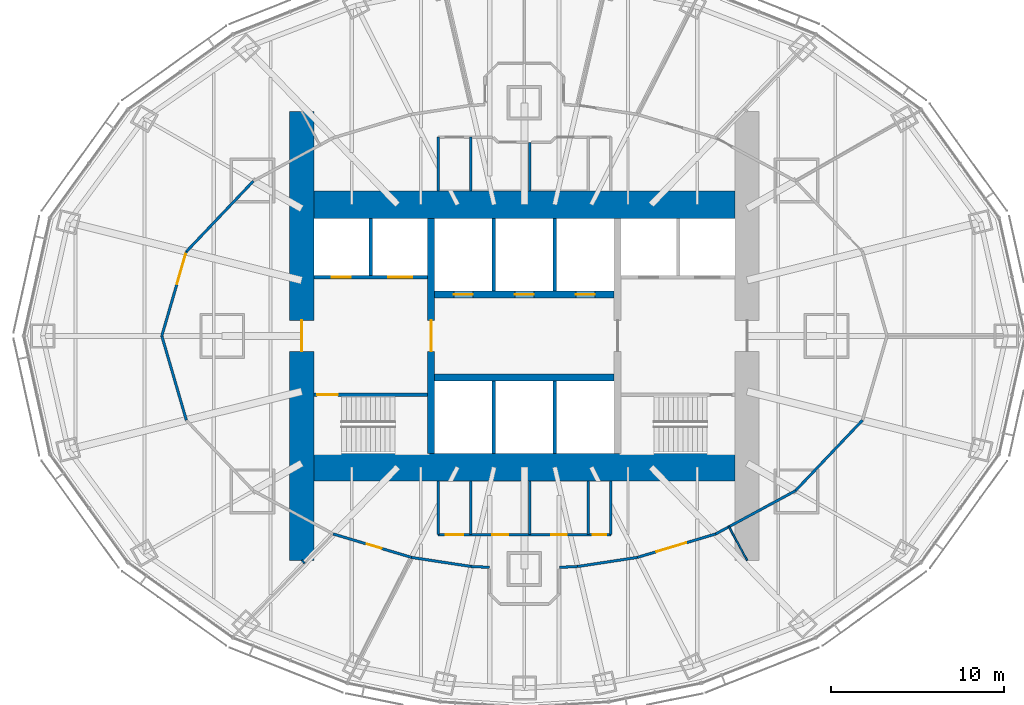
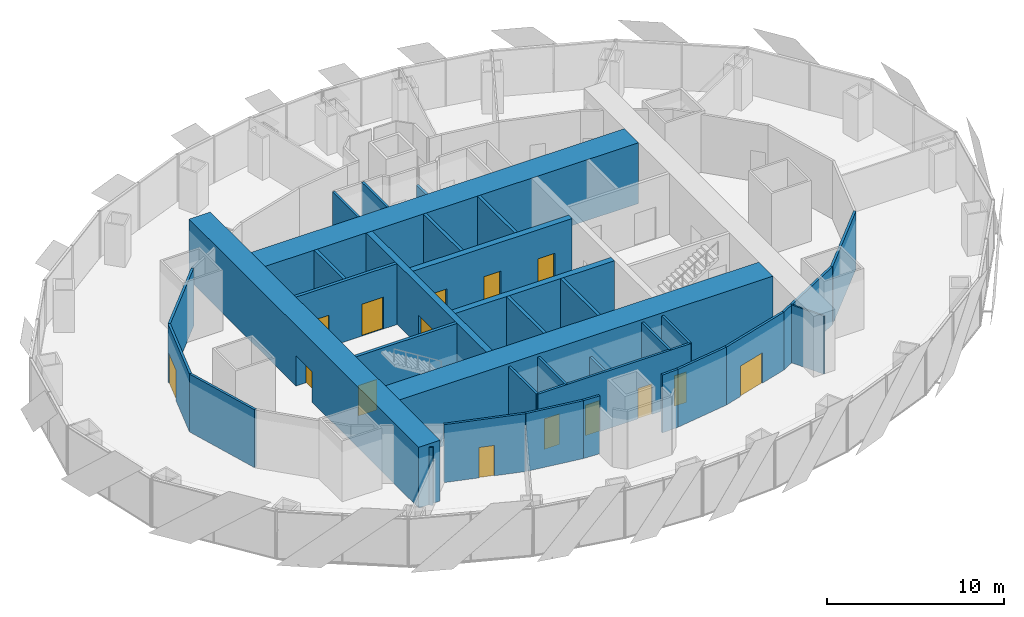
# One storey, part 11 of 18: 35 walls, 15 doors, 15 openings.
"""IFC4 building model written with IfcOpenShell, lengths in metres."""

from ifc_helpers import new_model, si_unit, direction, frame, frame_2d, origin, place, context, subcontext, project, spatial, rectangle, extrude, material, layer, layer_set, type_object, element, fill, save


model = new_model("IFC4")

# Units and contexts
model_context = context("Model", 3, precision=1e-05, world=origin(), true_north=direction((0.0, 1.0)))
body_context = subcontext(model_context, "Body", "Model", "MODEL_VIEW")
ifc_project = project(units=[si_unit("LENGTHUNIT", "METRE"), si_unit("AREAUNIT", "SQUARE_METRE"), si_unit("VOLUMEUNIT", "CUBIC_METRE"), si_unit("PLANEANGLEUNIT", "RADIAN"), si_unit("MASSUNIT", "GRAM", prefix="KILO")], contexts=[model_context])

# Site, building, storey
site_placement = place(None, origin())
site = spatial("IfcSite", under=ifc_project, at=site_placement, CompositionType="ELEMENT")
building_placement = place(site_placement, origin())
building = spatial("IfcBuilding", under=site, at=building_placement, Name="Lantaw Convention Tower", CompositionType="ELEMENT")
storey_placement = place(building_placement, frame((0.0, 0.0, 188.800048828125)))
storey = spatial("IfcBuildingStorey", under=building, at=storey_placement, Name="L44", CompositionType="ELEMENT", Elevation=188.800048828125)

# Wall, opening, door
ifc_material_1 = material(Name="Concrete C60/75", Category="concrete")
ifc_layer_1 = layer(ifc_material_1, 1.39990234375)
ifc_layer_set_1 = layer_set([ifc_layer_1], Name="Core wall 1400")
wall_type_1 = type_object("IfcWallType", Name="Core wall 1400", PredefinedType="SHEAR", material=ifc_layer_set_1)
wall_1_placement = place(storey_placement, frame((-12.89990234375, 13.0, 0.0), z_axis=(0.0, 0.0, 1.0), x_axis=(0.0, -1.0, 0.0)))
wall_1 = element("IfcWall", 1, at=wall_1_placement, inside=storey, type_object=wall_type_1, Name="Core wall W", PredefinedType="SHEAR", context=body_context, shape_type="SweptSolid", body=[
    extrude(rectangle(XDim=26.0, YDim=1.39990234375, at=frame_2d((13.0, 0.0))), origin(), (0.0, 0.0, 1.0), 4.199951171875),
])
opening_1_placement = place(wall_1_placement, frame((12.10009765625, 0.0, 0.0)))
opening_1 = element("IfcOpeningElement", 2, at=opening_1_placement, cuts=wall_1, Name="Opening L44.06", PredefinedType="OPENING", context=body_context, shape_type="SweptSolid", body=[
    extrude(rectangle(XDim=1.800048828125, YDim=2.10009765625, at=frame_2d((0.89990234375, 1.050048828125))), frame((0.0, 0.7099609375, 0.0), z_axis=(0.0, -1.0, 0.0), x_axis=(1.0, 0.0, 0.0)), (0.0, 0.0, 1.0), 1.419921875),
])
ifc_material_2 = material(Name="Steel, fire rated", Category="steel")
door_type_1 = type_object("IfcDoorType", Name="Lobby double door FD90", OperationType="DOUBLE_DOOR_DOUBLE_SWING", PredefinedType="DOOR", material=ifc_material_2)
door_1_placement = place(opening_1_placement, origin())
door_1 = element("IfcDoor", 3, at=door_1_placement, inside=storey, type_object=door_type_1, Name="Firefighting lobby door", OperationType="DOUBLE_DOOR_DOUBLE_SWING", OverallHeight=2.10009765625, OverallWidth=1.800048828125, PredefinedType="DOOR", context=body_context, shape_type="SweptSolid", body=[
    extrude(rectangle(XDim=1.800048828125, YDim=2.10009765625, at=frame_2d((0.89990234375, 1.050048828125))), frame((0.0, 0.02490234375, 0.0), z_axis=(0.0, -1.0, 0.0), x_axis=(1.0, 0.0, 0.0)), (0.0, 0.0, 1.0), 0.050048828125),
])
fill(opening_1, door_1)

# Walls
ifc_layer_2 = layer(ifc_material_1, 1.60009765625)
ifc_layer_set_2 = layer_set([ifc_layer_2], Name="Core wall 1600")
wall_type_2 = type_object("IfcWallType", Name="Core wall 1600", PredefinedType="SHEAR", material=ifc_layer_set_2)
for number, where, z_axis, x_axis, name in (
    (4, (-12.199951171875, -7.60009765625, 0.0), (0.0, 0.0, 1.0), (1.0, 0.0, 0.0), "Core wall S"),
    (5, (12.199951171875, 7.60009765625, 0.0), (0.0, 0.0, 1.0), (-1.0, 0.0, 0.0), "Core wall N"),
):
    element("IfcWall", number, at=place(storey_placement, frame(where, z_axis=z_axis, x_axis=x_axis)), inside=storey, type_object=wall_type_2, Name=name, PredefinedType="SHEAR", context=body_context, shape_type="SweptSolid", body=[
        extrude(rectangle(XDim=24.39990234375, YDim=1.60009765625, at=frame_2d((12.199951171875, 0.0))), origin(), (0.0, 0.0, 1.0), 4.199951171875),
    ])

# Wall, opening, door
ifc_layer_3 = layer(ifc_material_1, 0.199951171875)
ifc_layer_set_3 = layer_set([ifc_layer_3], Name="Core wall 200")
wall_type_3 = type_object("IfcWallType", Name="Core wall 200", PredefinedType="SHEAR", material=ifc_layer_set_3)
wall_2_placement = place(storey_placement, frame((-5.60009765625, -3.39990234375, 0.0), z_axis=(0.0, 0.0, 1.0), x_axis=(-1.0, 0.0, 0.0)))
wall_2 = element("IfcWall", 6, at=wall_2_placement, inside=storey, type_object=wall_type_3, Name="Core wall WS", PredefinedType="SHEAR", context=body_context, shape_type="SweptSolid", body=[
    extrude(rectangle(XDim=6.599853515625, YDim=0.199951171875, at=frame_2d((3.2998046875, 0.0))), origin(), (0.0, 0.0, 1.0), 4.199951171875),
])
opening_2_placement = place(wall_2_placement, frame((5.199951171875, 0.0, 0.0)))
opening_2 = element("IfcOpeningElement", 7, at=opening_2_placement, cuts=wall_2, Name="Opening L44.04", PredefinedType="OPENING", context=body_context, shape_type="SweptSolid", body=[
    extrude(rectangle(XDim=1.199951171875, YDim=2.10009765625, at=frame_2d((0.60009765625, 1.050048828125))), frame((0.0, 0.10986328125, 0.0), z_axis=(0.0, -1.0, 0.0), x_axis=(1.0, 0.0, 0.0)), (0.0, 0.0, 1.0), 0.219970703125),
])
door_type_2 = type_object("IfcDoorType", Name="Stair door FD90", OperationType="SINGLE_SWING_RIGHT", PredefinedType="DOOR", material=ifc_material_2)
door_2_placement = place(opening_2_placement, origin())
door_2 = element("IfcDoor", 8, at=door_2_placement, inside=storey, type_object=door_type_2, Name="Exit stair door", OperationType="SINGLE_SWING_RIGHT", OverallHeight=2.10009765625, OverallWidth=1.199951171875, PredefinedType="DOOR", context=body_context, shape_type="SweptSolid", body=[
    extrude(rectangle(XDim=1.199951171875, YDim=2.10009765625, at=frame_2d((0.60009765625, 1.050048828125))), frame((0.0, 0.02490234375, 0.0), z_axis=(0.0, -1.0, 0.0), x_axis=(1.0, 0.0, 0.0)), (0.0, 0.0, 1.0), 0.050048828125),
])
fill(opening_2, door_2)

ifc_layer_4 = layer(ifc_material_1, 0.39990234375)
ifc_layer_set_4 = layer_set([ifc_layer_4], Name="Core wall 400")
wall_type_4 = type_object("IfcWallType", Name="Core wall 400", PredefinedType="SHEAR", material=ifc_layer_set_4)
wall_3_placement = place(storey_placement, frame((-5.39990234375, 6.800048828125, 0.0), z_axis=(0.0, 0.0, 1.0), x_axis=(0.0, -1.0, 0.0)))
wall_3 = element("IfcWall", 9, at=wall_3_placement, inside=storey, type_object=wall_type_4, Name="Core wall XW", PredefinedType="SHEAR", context=body_context, shape_type="SweptSolid", body=[
    extrude(rectangle(XDim=13.60009765625, YDim=0.39990234375, at=frame_2d((6.800048828125, 0.0))), origin(), (0.0, 0.0, 1.0), 4.199951171875),
])
opening_3_placement = place(wall_3_placement, frame((5.89990234375, 0.0, 0.0)))
opening_3 = element("IfcOpeningElement", 10, at=opening_3_placement, cuts=wall_3, Name="Opening L44.02", PredefinedType="OPENING", context=body_context, shape_type="SweptSolid", body=[
    extrude(rectangle(XDim=1.800048828125, YDim=2.10009765625, at=frame_2d((0.89990234375, 1.050048828125))), frame((0.0, 0.2099609375, 0.0), z_axis=(0.0, -1.0, 0.0), x_axis=(1.0, 0.0, 0.0)), (0.0, 0.0, 1.0), 0.419921875),
])
door_3_placement = place(opening_3_placement, origin())
door_3 = element("IfcDoor", 11, at=door_3_placement, inside=storey, type_object=door_type_1, Name="Lift lobby door", OperationType="DOUBLE_DOOR_DOUBLE_SWING", OverallHeight=2.10009765625, OverallWidth=1.800048828125, PredefinedType="DOOR", context=body_context, shape_type="SweptSolid", body=[
    extrude(rectangle(XDim=1.800048828125, YDim=2.10009765625, at=frame_2d((0.89990234375, 1.050048828125))), frame((0.0, 0.02490234375, 0.0), z_axis=(0.0, -1.0, 0.0), x_axis=(1.0, 0.0, 0.0)), (0.0, 0.0, 1.0), 0.050048828125),
])
fill(opening_3, door_3)

# Wall
wall_4_placement = place(storey_placement, frame((-5.199951171875, -2.39990234375, 0.0), z_axis=(0.0, 0.0, 1.0), x_axis=(1.0, 0.0, 0.0)))
element("IfcWall", 12, at=wall_4_placement, inside=storey, type_object=wall_type_4, Name="Core wall BS", PredefinedType="SHEAR", context=body_context, shape_type="SweptSolid", body=[
    extrude(rectangle(XDim=10.39990234375, YDim=0.39990234375, at=frame_2d((5.199951171875, 0.0))), origin(), (0.0, 0.0, 1.0), 4.199951171875),
])

# Wall, openings, doors
wall_5_placement = place(storey_placement, frame((5.199951171875, 2.39990234375, 0.0), z_axis=(0.0, 0.0, 1.0), x_axis=(-1.0, 0.0, 0.0)))
wall_5 = element("IfcWall", 13, at=wall_5_placement, inside=storey, type_object=wall_type_4, Name="Core wall BN", PredefinedType="SHEAR", context=body_context, shape_type="SweptSolid", body=[
    extrude(rectangle(XDim=10.39990234375, YDim=0.39990234375, at=frame_2d((5.199951171875, 0.0))), origin(), (0.0, 0.0, 1.0), 4.199951171875),
])
opening_4_placement = place(wall_5_placement, frame((8.183349609375, 0.0, 0.0)))
opening_4 = element("IfcOpeningElement", 14, at=opening_4_placement, cuts=wall_5, Name="Opening L44.07", PredefinedType="OPENING", context=body_context, shape_type="SweptSolid", body=[
    extrude(rectangle(XDim=1.10009765625, YDim=2.199951171875, at=frame_2d((0.550048828125, 1.10009765625))), frame((0.0, 0.2099609375, 0.0), z_axis=(0.0, -1.0, 0.0), x_axis=(1.0, 0.0, 0.0)), (0.0, 0.0, 1.0), 0.419921875),
])
opening_5_placement = place(wall_5_placement, frame((4.64990234375, 0.0, 0.0)))
opening_5 = element("IfcOpeningElement", 15, at=opening_5_placement, cuts=wall_5, Name="Opening L44.08", PredefinedType="OPENING", context=body_context, shape_type="SweptSolid", body=[
    extrude(rectangle(XDim=1.10009765625, YDim=2.199951171875, at=frame_2d((0.550048828125, 1.10009765625))), frame((0.0, 0.2099609375, 0.0), z_axis=(0.0, -1.0, 0.0), x_axis=(1.0, 0.0, 0.0)), (0.0, 0.0, 1.0), 0.419921875),
])
opening_6_placement = place(wall_5_placement, frame((1.11669921875, 0.0, 0.0)))
opening_6 = element("IfcOpeningElement", 16, at=opening_6_placement, cuts=wall_5, Name="Opening L44.09", PredefinedType="OPENING", context=body_context, shape_type="SweptSolid", body=[
    extrude(rectangle(XDim=1.10009765625, YDim=2.199951171875, at=frame_2d((0.550048828125, 1.10009765625))), frame((0.0, 0.2099609375, 0.0), z_axis=(0.0, -1.0, 0.0), x_axis=(1.0, 0.0, 0.0)), (0.0, 0.0, 1.0), 0.419921875),
])
ifc_material_3 = material(Name="Stainless steel", Category="steel")
door_type_3 = type_object("IfcDoorType", Name="Lift landing door 1100", OperationType="DOUBLE_DOOR_SLIDING", PredefinedType="DOOR", material=ifc_material_3)
door_4_placement = place(opening_4_placement, origin())
door_4 = element("IfcDoor", 17, at=door_4_placement, inside=storey, type_object=door_type_3, Name="Lift landing door N1", OperationType="DOUBLE_DOOR_SLIDING", OverallHeight=2.199951171875, OverallWidth=1.10009765625, PredefinedType="DOOR", context=body_context, shape_type="SweptSolid", body=[
    extrude(rectangle(XDim=1.10009765625, YDim=2.199951171875, at=frame_2d((0.550048828125, 1.10009765625))), frame((0.0, 0.02490234375, 0.0), z_axis=(0.0, -1.0, 0.0), x_axis=(1.0, 0.0, 0.0)), (0.0, 0.0, 1.0), 0.050048828125),
])
fill(opening_4, door_4)
door_5_placement = place(opening_5_placement, origin())
door_5 = element("IfcDoor", 18, at=door_5_placement, inside=storey, type_object=door_type_3, Name="Lift landing door N2", OperationType="DOUBLE_DOOR_SLIDING", OverallHeight=2.199951171875, OverallWidth=1.10009765625, PredefinedType="DOOR", context=body_context, shape_type="SweptSolid", body=[
    extrude(rectangle(XDim=1.10009765625, YDim=2.199951171875, at=frame_2d((0.550048828125, 1.10009765625))), frame((0.0, 0.02490234375, 0.0), z_axis=(0.0, -1.0, 0.0), x_axis=(1.0, 0.0, 0.0)), (0.0, 0.0, 1.0), 0.050048828125),
])
fill(opening_5, door_5)
door_6_placement = place(opening_6_placement, origin())
door_6 = element("IfcDoor", 19, at=door_6_placement, inside=storey, type_object=door_type_3, Name="Lift landing door N3", OperationType="DOUBLE_DOOR_SLIDING", OverallHeight=2.199951171875, OverallWidth=1.10009765625, PredefinedType="DOOR", context=body_context, shape_type="SweptSolid", body=[
    extrude(rectangle(XDim=1.10009765625, YDim=2.199951171875, at=frame_2d((0.550048828125, 1.10009765625))), frame((0.0, 0.02490234375, 0.0), z_axis=(0.0, -1.0, 0.0), x_axis=(1.0, 0.0, 0.0)), (0.0, 0.0, 1.0), 0.050048828125),
])
fill(opening_6, door_6)

# Wall
ifc_material_4 = material(Name="Gypsum board on steel studs, fire rated", Category="steel")
ifc_layer_5 = layer(ifc_material_4, 0.14990234375)
ifc_layer_set_5 = layer_set([ifc_layer_5], Name="Corridor wall 150 EI 60")
wall_type_5 = type_object("IfcWallType", Name="Corridor wall 150 EI 60", PredefinedType="PARTITIONING", material=ifc_layer_set_5)
wall_6_placement = place(storey_placement, frame((-15.695556640625, 8.968994140625, 0.0), z_axis=(0.0, 0.0, 1.0), x_axis=(-0.688797257101, -0.72495402517, 0.0)))
element("IfcWall", 20, at=wall_6_placement, inside=storey, type_object=wall_type_5, Name="Corridor wall 150", PredefinedType="PARTITIONING", context=body_context, shape_type="SweptSolid", body=[
    extrude(rectangle(XDim=5.63818359375, YDim=0.14990234375, at=frame_2d((2.819091796875, 0.0))), origin(), (0.0, 0.0, 1.0), 4.0),
])

# Wall, opening, door
wall_7_placement = place(storey_placement, frame((-19.5791015625, 4.881591796875, 0.0), z_axis=(0.0, 0.0, 1.0), x_axis=(-0.279474430869, -0.960153134917, 0.0)))
wall_7 = element("IfcWall", 21, at=wall_7_placement, inside=storey, type_object=wall_type_5, Name="Corridor wall 150", PredefinedType="PARTITIONING", context=body_context, shape_type="SweptSolid", body=[
    extrude(rectangle(XDim=5.084228515625, YDim=0.14990234375, at=frame_2d((2.5419921875, 0.0))), origin(), (0.0, 0.0, 1.0), 4.0),
])
opening_7_placement = place(wall_7_placement, frame((0.14990234375, 0.0, 0.0)))
opening_7 = element("IfcOpeningElement", 22, at=opening_7_placement, cuts=wall_7, Name="Opening L44.28", PredefinedType="OPENING", context=body_context, shape_type="SweptSolid", body=[
    extrude(rectangle(XDim=1.800048828125, YDim=2.10009765625, at=frame_2d((0.89990234375, 1.050048828125))), frame((0.0, 0.0849609375, 0.0), z_axis=(0.0, -1.0, 0.0), x_axis=(1.0, 0.0, 0.0)), (0.0, 0.0, 1.0), 0.169921875),
])
door_type_4 = type_object("IfcDoorType", Name="Office double door 1800 FD30", OperationType="DOUBLE_DOOR_DOUBLE_SWING", PredefinedType="DOOR", material=ifc_material_2)
door_7_placement = place(opening_7_placement, origin())
door_7 = element("IfcDoor", 23, at=door_7_placement, inside=storey, type_object=door_type_4, Name="Open office door", OperationType="DOUBLE_DOOR_DOUBLE_SWING", OverallHeight=2.10009765625, OverallWidth=1.800048828125, PredefinedType="DOOR", context=body_context, shape_type="SweptSolid", body=[
    extrude(rectangle(XDim=1.800048828125, YDim=2.10009765625, at=frame_2d((0.89990234375, 1.050048828125))), frame((0.0, 0.02490234375, 0.0), z_axis=(0.0, -1.0, 0.0), x_axis=(1.0, 0.0, 0.0)), (0.0, 0.0, 1.0), 0.050048828125),
])
fill(opening_7, door_7)

# Wall
wall_8_placement = place(storey_placement, frame((-21.0, 0.0, 0.0), z_axis=(0.0, 0.0, 1.0), x_axis=(0.279474430869, -0.960153134917, 0.0)))
element("IfcWall", 24, at=wall_8_placement, inside=storey, type_object=wall_type_5, Name="Corridor wall 150", PredefinedType="PARTITIONING", context=body_context, shape_type="SweptSolid", body=[
    extrude(rectangle(XDim=5.084228515625, YDim=0.14990234375, at=frame_2d((2.5419921875, 0.0))), origin(), (0.0, 0.0, 1.0), 4.0),
])

# Wall, opening, door
wall_9_placement = place(storey_placement, frame((-11.075927734375, -11.469482421875, 0.0), z_axis=(0.0, 0.0, 1.0), x_axis=(0.957933992798, -0.286988615527, 0.0)))
wall_9 = element("IfcWall", 25, at=wall_9_placement, inside=storey, type_object=wall_type_5, Name="Corridor wall 150", PredefinedType="PARTITIONING", context=body_context, shape_type="SweptSolid", body=[
    extrude(rectangle(XDim=4.73828125, YDim=0.14990234375, at=frame_2d((2.369140625, 0.0))), origin(), (0.0, 0.0, 1.0), 4.0),
])
opening_8_placement = place(wall_9_placement, frame((2.023193359375, 0.0, 0.0)))
opening_8 = element("IfcOpeningElement", 26, at=opening_8_placement, cuts=wall_9, Name="Opening L44.29", PredefinedType="OPENING", context=body_context, shape_type="SweptSolid", body=[
    extrude(rectangle(XDim=0.89990234375, YDim=2.10009765625, at=frame_2d((0.449951171875, 1.050048828125))), frame((0.0, 0.0849609375, 0.0), z_axis=(0.0, -1.0, 0.0), x_axis=(1.0, 0.0, 0.0)), (0.0, 0.0, 1.0), 0.169921875),
])
door_type_5 = type_object("IfcDoorType", Name="Office door 900 FD30", OperationType="SINGLE_SWING_LEFT", PredefinedType="DOOR", material=ifc_material_2)
door_8_placement = place(opening_8_placement, origin())
door_8 = element("IfcDoor", 27, at=door_8_placement, inside=storey, type_object=door_type_5, Name="Quiet room door", OperationType="SINGLE_SWING_LEFT", OverallHeight=2.10009765625, OverallWidth=0.89990234375, PredefinedType="DOOR", context=body_context, shape_type="SweptSolid", body=[
    extrude(rectangle(XDim=0.89990234375, YDim=2.10009765625, at=frame_2d((0.449951171875, 1.050048828125))), frame((0.0, 0.02490234375, 0.0), z_axis=(0.0, -1.0, 0.0), x_axis=(1.0, 0.0, 0.0)), (0.0, 0.0, 1.0), 0.050048828125),
])
fill(opening_8, door_8)

# Walls
for number, where, z_axis, x_axis, name in (
    (28, (-6.536865234375, -12.829345703125, 0.0), (0.0, 0.0, 1.0), (0.988668719464, -0.150113833987, 0.0), "Corridor wall 150"),
    (29, (3.0830078125, -13.353759765625, 0.0), (0.0, 0.0, 1.0), (0.988668719464, 0.150113833987, 0.0), "Corridor wall 150"),
):
    element("IfcWall", number, at=place(storey_placement, frame(where, z_axis=z_axis, x_axis=x_axis)), inside=storey, type_object=wall_type_5, Name=name, PredefinedType="PARTITIONING", context=body_context, shape_type="SweptSolid", body=[
        extrude(rectangle(XDim=3.493408203125, YDim=0.14990234375, at=frame_2d((1.74658203125, 0.0))), origin(), (0.0, 0.0, 1.0), 4.0),
    ])

# Wall, opening, door
wall_10_placement = place(storey_placement, frame((6.536865234375, -12.829345703125, 0.0), z_axis=(0.0, 0.0, 1.0), x_axis=(0.957933992798, 0.286988615527, 0.0)))
wall_10 = element("IfcWall", 30, at=wall_10_placement, inside=storey, type_object=wall_type_5, Name="Corridor wall 150", PredefinedType="PARTITIONING", context=body_context, shape_type="SweptSolid", body=[
    extrude(rectangle(XDim=4.73828125, YDim=0.14990234375, at=frame_2d((2.369140625, 0.0))), origin(), (0.0, 0.0, 1.0), 4.0),
])
opening_9_placement = place(wall_10_placement, frame((1.164794921875, 0.0, 0.0)))
opening_9 = element("IfcOpeningElement", 31, at=opening_9_placement, cuts=wall_10, Name="Opening L44.30", PredefinedType="OPENING", context=body_context, shape_type="SweptSolid", body=[
    extrude(rectangle(XDim=1.800048828125, YDim=2.10009765625, at=frame_2d((0.89990234375, 1.050048828125))), frame((0.0, 0.0849609375, 0.0), z_axis=(0.0, -1.0, 0.0), x_axis=(1.0, 0.0, 0.0)), (0.0, 0.0, 1.0), 0.169921875),
])
door_9_placement = place(opening_9_placement, origin())
door_9 = element("IfcDoor", 32, at=door_9_placement, inside=storey, type_object=door_type_4, Name="Open office door", OperationType="DOUBLE_DOOR_DOUBLE_SWING", OverallHeight=2.10009765625, OverallWidth=1.800048828125, PredefinedType="DOOR", context=body_context, shape_type="SweptSolid", body=[
    extrude(rectangle(XDim=1.800048828125, YDim=2.10009765625, at=frame_2d((0.89990234375, 1.050048828125))), frame((0.0, 0.02490234375, 0.0), z_axis=(0.0, -1.0, 0.0), x_axis=(1.0, 0.0, 0.0)), (0.0, 0.0, 1.0), 0.050048828125),
])
fill(opening_9, door_9)

# Walls
wall_11_placement = place(storey_placement, frame((11.075927734375, -11.469482421875, 0.0), z_axis=(0.0, 0.0, 1.0), x_axis=(0.879436285334, 0.476016617397, 0.0)))
element("IfcWall", 33, at=wall_11_placement, inside=storey, type_object=wall_type_5, Name="Corridor wall 150", PredefinedType="PARTITIONING", context=body_context, shape_type="SweptSolid", body=[
    extrude(rectangle(XDim=5.2529296875, YDim=0.14990234375, at=frame_2d((2.62646484375, 0.0))), origin(), (0.0, 0.0, 1.0), 4.0),
])
wall_12_placement = place(storey_placement, frame((15.695556640625, -8.968994140625, 0.0), z_axis=(0.0, 0.0, 1.0), x_axis=(0.688797257101, 0.72495402517, 0.0)))
element("IfcWall", 34, at=wall_12_placement, inside=storey, type_object=wall_type_5, Name="Corridor wall 150", PredefinedType="PARTITIONING", context=body_context, shape_type="SweptSolid", body=[
    extrude(rectangle(XDim=5.63818359375, YDim=0.14990234375, at=frame_2d((2.819091796875, 0.0))), origin(), (0.0, 0.0, 1.0), 4.0),
])
for number, where, z_axis, x_axis, name in (
    (35, (-3.0830078125, -13.353759765625, 0.0), (0.0, 0.0, 1.0), (0.998872870491, -0.047465657018, 0.0), "Corridor wall 150"),
    (36, (2.034912109375, -13.403564453125, 0.0), (0.0, 0.0, 1.0), (0.998872870491, 0.047465657018, 0.0), "Corridor wall 150"),
):
    element("IfcWall", number, at=place(storey_placement, frame(where, z_axis=z_axis, x_axis=x_axis)), inside=storey, type_object=wall_type_5, Name=name, PredefinedType="PARTITIONING", context=body_context, shape_type="SweptSolid", body=[
        extrude(rectangle(XDim=1.04931640625, YDim=0.14990234375, at=frame_2d((0.524658203125, 0.0))), origin(), (0.0, 0.0, 1.0), 4.0),
    ])
ifc_material_5 = material(Name="Gypsum board on steel studs, acoustic", Category="steel")
ifc_layer_6 = layer(ifc_material_5, 0.10009765625)
ifc_layer_set_6 = layer_set([ifc_layer_6], Name="Office partition 100")
wall_type_6 = type_object("IfcWallType", Name="Office partition 100", PredefinedType="PARTITIONING", material=ifc_layer_set_6)
wall_13_placement = place(storey_placement, frame((12.89990234375, -13.0, 0.0), z_axis=(0.0, 0.0, 1.0), x_axis=(-0.475998959765, 0.879445842734, 0.0)))
element("IfcWall", 37, at=wall_13_placement, inside=storey, type_object=wall_type_6, Name="Office partition 100", PredefinedType="PARTITIONING", context=body_context, shape_type="SweptSolid", body=[
    extrude(rectangle(XDim=2.214111328125, YDim=0.10009765625, at=frame_2d((1.10693359375, 0.0))), origin(), (0.0, 0.0, 1.0), 4.0),
])
wall_14_placement = place(storey_placement, frame((-12.89990234375, -13.0, 0.0), z_axis=(0.0, 0.0, 1.0), x_axis=(0.714845300066, -0.699282630253, 0.0)))
element("IfcWall", 38, at=wall_14_placement, inside=storey, type_object=wall_type_6, Name="Office partition 100", PredefinedType="PARTITIONING", context=body_context, shape_type="SweptSolid", body=[
    extrude(rectangle(XDim=0.2353515625, YDim=0.10009765625, at=frame_2d((0.11767578125, 0.0))), origin(), (0.0, 0.0, 1.0), 4.0),
])
ifc_material_6 = material(Name="Concrete blockwork, fire rated", Category="masonry")
ifc_layer_7 = layer(ifc_material_6, 0.199951171875)
ifc_layer_set_7 = layer_set([ifc_layer_7], Name="Shaft wall 200")
wall_type_7 = type_object("IfcWallType", Name="Shaft wall 200", PredefinedType="SOLIDWALL", material=ifc_layer_set_7)
for number, where, z_axis, x_axis, name in (
    (39, (-1.7666015625, 2.60009765625, 0.0), (0.0, 0.0, 1.0), (0.0, 1.0, 0.0), "Shaft wall DN1"),
    (40, (1.7666015625, 2.60009765625, 0.0), (0.0, 0.0, 1.0), (0.0, 1.0, 0.0), "Shaft wall DN2"),
):
    element("IfcWall", number, at=place(storey_placement, frame(where, z_axis=z_axis, x_axis=x_axis)), inside=storey, type_object=wall_type_7, Name=name, PredefinedType="SOLIDWALL", context=body_context, shape_type="SweptSolid", body=[
        extrude(rectangle(XDim=4.199951171875, YDim=0.199951171875, at=frame_2d((2.10009765625, 0.0))), origin(), (0.0, 0.0, 1.0), 4.199951171875),
    ])

# Wall, openings, doors
wall_15_placement = place(storey_placement, frame((-12.199951171875, 3.39990234375, 0.0), z_axis=(0.0, 0.0, 1.0), x_axis=(1.0, 0.0, 0.0)))
wall_15 = element("IfcWall", 41, at=wall_15_placement, inside=storey, type_object=wall_type_7, Name="Shaft wall WN", PredefinedType="SOLIDWALL", context=body_context, shape_type="SweptSolid", body=[
    extrude(rectangle(XDim=6.599853515625, YDim=0.199951171875, at=frame_2d((3.2998046875, 0.0))), origin(), (0.0, 0.0, 1.0), 4.199951171875),
])
opening_10_placement = place(wall_15_placement, frame((1.050048828125, 0.0, 0.0)))
opening_10 = element("IfcOpeningElement", 42, at=opening_10_placement, cuts=wall_15, Name="Opening L44.10", PredefinedType="OPENING", context=body_context, shape_type="SweptSolid", body=[
    extrude(rectangle(XDim=1.10009765625, YDim=2.199951171875, at=frame_2d((0.550048828125, 1.10009765625))), frame((0.0, 0.10986328125, 0.0), z_axis=(0.0, -1.0, 0.0), x_axis=(1.0, 0.0, 0.0)), (0.0, 0.0, 1.0), 0.219970703125),
])
opening_11_placement = place(wall_15_placement, frame((4.300048828125, 0.0, 0.0)))
opening_11 = element("IfcOpeningElement", 43, at=opening_11_placement, cuts=wall_15, Name="Opening L44.11", PredefinedType="OPENING", context=body_context, shape_type="SweptSolid", body=[
    extrude(rectangle(XDim=1.39990234375, YDim=2.199951171875, at=frame_2d((0.699951171875, 1.10009765625))), frame((0.0, 0.10986328125, 0.0), z_axis=(0.0, -1.0, 0.0), x_axis=(1.0, 0.0, 0.0)), (0.0, 0.0, 1.0), 0.219970703125),
])
door_10_placement = place(opening_10_placement, origin())
door_10 = element("IfcDoor", 44, at=door_10_placement, inside=storey, type_object=door_type_3, Name="Lift landing door FF1", OperationType="DOUBLE_DOOR_SLIDING", OverallHeight=2.199951171875, OverallWidth=1.10009765625, PredefinedType="DOOR", context=body_context, shape_type="SweptSolid", body=[
    extrude(rectangle(XDim=1.10009765625, YDim=2.199951171875, at=frame_2d((0.550048828125, 1.10009765625))), frame((0.0, 0.02490234375, 0.0), z_axis=(0.0, -1.0, 0.0), x_axis=(1.0, 0.0, 0.0)), (0.0, 0.0, 1.0), 0.050048828125),
])
fill(opening_10, door_10)
door_type_6 = type_object("IfcDoorType", Name="Lift landing door 1400", OperationType="DOUBLE_DOOR_SLIDING", PredefinedType="DOOR", material=ifc_material_3)
door_11_placement = place(opening_11_placement, origin())
door_11 = element("IfcDoor", 45, at=door_11_placement, inside=storey, type_object=door_type_6, Name="Lift landing door SV1", OperationType="DOUBLE_DOOR_SLIDING", OverallHeight=2.199951171875, OverallWidth=1.39990234375, PredefinedType="DOOR", context=body_context, shape_type="SweptSolid", body=[
    extrude(rectangle(XDim=1.39990234375, YDim=2.199951171875, at=frame_2d((0.699951171875, 1.10009765625))), frame((0.0, 0.02490234375, 0.0), z_axis=(0.0, -1.0, 0.0), x_axis=(1.0, 0.0, 0.0)), (0.0, 0.0, 1.0), 0.050048828125),
])
fill(opening_11, door_11)

# Walls
wall_16_placement = place(storey_placement, frame((-8.89990234375, 3.5, 0.0), z_axis=(0.0, 0.0, 1.0), x_axis=(0.0, 1.0, 0.0)))
element("IfcWall", 46, at=wall_16_placement, inside=storey, type_object=wall_type_7, Name="Shaft wall WD", PredefinedType="SOLIDWALL", context=body_context, shape_type="SweptSolid", body=[
    extrude(rectangle(XDim=3.300048828125, YDim=0.199951171875, at=frame_2d((1.64990234375, 0.0))), origin(), (0.0, 0.0, 1.0), 4.199951171875),
])
ifc_layer_8 = layer(ifc_material_6, 0.199951171875)
ifc_layer_set_8 = layer_set([ifc_layer_8], Name="Shaft wall 200 load-bearing")
wall_type_8 = type_object("IfcWallType", Name="Shaft wall 200 load-bearing", PredefinedType="SOLIDWALL", material=ifc_layer_set_8)
for number, where, z_axis, x_axis, name in (
    (47, (-1.7666015625, -2.60009765625, 0.0), (0.0, 0.0, 1.0), (0.0, -1.0, 0.0), "Shaft wall DS1"),
    (48, (1.7666015625, -2.60009765625, 0.0), (0.0, 0.0, 1.0), (0.0, -1.0, 0.0), "Shaft wall DS2"),
):
    element("IfcWall", number, at=place(storey_placement, frame(where, z_axis=z_axis, x_axis=x_axis)), inside=storey, type_object=wall_type_8, Name=name, PredefinedType="SOLIDWALL", context=body_context, shape_type="SweptSolid", body=[
        extrude(rectangle(XDim=4.199951171875, YDim=0.199951171875, at=frame_2d((2.10009765625, 0.0))), origin(), (0.0, 0.0, 1.0), 4.199951171875),
    ])
ifc_material_7 = material(Name="Concrete blockwork", Category="masonry")
ifc_layer_9 = layer(ifc_material_7, 0.14990234375)
ifc_layer_set_9 = layer_set([ifc_layer_9], Name="WC wall 150")
wall_type_9 = type_object("IfcWallType", Name="WC wall 150", PredefinedType="SOLIDWALL", material=ifc_layer_set_9)
for number, where, z_axis, x_axis, name in (
    (49, (-5.0, 8.39990234375, 0.0), (0.0, 0.0, 1.0), (0.0, 1.0, 0.0), "WC wall 150"),
    (50, (-3.10009765625, 8.39990234375, 0.0), (0.0, 0.0, 1.0), (0.0, 1.0, 0.0), "WC wall 150"),
):
    element("IfcWall", number, at=place(storey_placement, frame(where, z_axis=z_axis, x_axis=x_axis)), inside=storey, type_object=wall_type_9, Name=name, PredefinedType="SOLIDWALL", context=body_context, shape_type="SweptSolid", body=[
        extrude(rectangle(XDim=3.112060546875, YDim=0.14990234375, at=frame_2d((1.55615234375, 0.0))), origin(), (0.0, 0.0, 1.0), 4.0),
    ])

# Wall, openings, doors
wall_17_placement = place(storey_placement, frame((-5.0, -11.511962890625, 0.0), z_axis=(0.0, 0.0, 1.0), x_axis=(1.0, 0.0, 0.0)))
wall_17 = element("IfcWall", 51, at=wall_17_placement, inside=storey, type_object=wall_type_9, Name="WC wall 150", PredefinedType="SOLIDWALL", context=body_context, shape_type="SweptSolid", body=[
    extrude(rectangle(XDim=10.0, YDim=0.14990234375, at=frame_2d((5.0, 0.0))), origin(), (0.0, 0.0, 1.0), 4.0),
])
opening_12_placement = place(wall_17_placement, frame((0.449951171875, 0.0, 0.0)))
opening_12 = element("IfcOpeningElement", 52, at=opening_12_placement, cuts=wall_17, Name="Opening L44.18", PredefinedType="OPENING", context=body_context, shape_type="SweptSolid", body=[
    extrude(rectangle(XDim=1.0, YDim=2.10009765625, at=frame_2d((0.5, 1.050048828125))), frame((0.0, 0.0849609375, 0.0), z_axis=(0.0, -1.0, 0.0), x_axis=(1.0, 0.0, 0.0)), (0.0, 0.0, 1.0), 0.169921875),
])
opening_13_placement = place(wall_17_placement, frame((3.14990234375, 0.0, 0.0)))
opening_13 = element("IfcOpeningElement", 53, at=opening_13_placement, cuts=wall_17, Name="Opening L44.19", PredefinedType="OPENING", context=body_context, shape_type="SweptSolid", body=[
    extrude(rectangle(XDim=0.89990234375, YDim=2.10009765625, at=frame_2d((0.449951171875, 1.050048828125))), frame((0.0, 0.0849609375, 0.0), z_axis=(0.0, -1.0, 0.0), x_axis=(1.0, 0.0, 0.0)), (0.0, 0.0, 1.0), 0.169921875),
])
opening_14_placement = place(wall_17_placement, frame((6.550048828125, 0.0, 0.0)))
opening_14 = element("IfcOpeningElement", 54, at=opening_14_placement, cuts=wall_17, Name="Opening L44.20", PredefinedType="OPENING", context=body_context, shape_type="SweptSolid", body=[
    extrude(rectangle(XDim=0.89990234375, YDim=2.10009765625, at=frame_2d((0.449951171875, 1.050048828125))), frame((0.0, 0.0849609375, 0.0), z_axis=(0.0, -1.0, 0.0), x_axis=(1.0, 0.0, 0.0)), (0.0, 0.0, 1.0), 0.169921875),
])
opening_15_placement = place(wall_17_placement, frame((8.949951171875, 0.0, 0.0)))
opening_15 = element("IfcOpeningElement", 55, at=opening_15_placement, cuts=wall_17, Name="Opening L44.21", PredefinedType="OPENING", context=body_context, shape_type="SweptSolid", body=[
    extrude(rectangle(XDim=0.800048828125, YDim=2.10009765625, at=frame_2d((0.39990234375, 1.050048828125))), frame((0.0, 0.0849609375, 0.0), z_axis=(0.0, -1.0, 0.0), x_axis=(1.0, 0.0, 0.0)), (0.0, 0.0, 1.0), 0.169921875),
])
ifc_material_8 = material(Name="Timber", Category="wood")
door_type_7 = type_object("IfcDoorType", Name="Accessible WC door 1000", OperationType="SINGLE_SWING_LEFT", PredefinedType="DOOR", material=ifc_material_8)
door_12_placement = place(opening_12_placement, origin())
door_12 = element("IfcDoor", 56, at=door_12_placement, inside=storey, type_object=door_type_7, Name="Accessible WC door", OperationType="SINGLE_SWING_LEFT", OverallHeight=2.10009765625, OverallWidth=1.0, PredefinedType="DOOR", context=body_context, shape_type="SweptSolid", body=[
    extrude(rectangle(XDim=1.0, YDim=2.10009765625, at=frame_2d((0.5, 1.050048828125))), frame((0.0, 0.02490234375, 0.0), z_axis=(0.0, -1.0, 0.0), x_axis=(1.0, 0.0, 0.0)), (0.0, 0.0, 1.0), 0.050048828125),
])
fill(opening_12, door_12)
door_type_8 = type_object("IfcDoorType", Name="WC door 800", OperationType="SINGLE_SWING_LEFT", PredefinedType="DOOR", material=ifc_material_8)
door_13_placement = place(opening_15_placement, origin())
door_13 = element("IfcDoor", 57, at=door_13_placement, inside=storey, type_object=door_type_8, Name="Pantry door", OperationType="SINGLE_SWING_LEFT", OverallHeight=2.10009765625, OverallWidth=0.800048828125, PredefinedType="DOOR", context=body_context, shape_type="SweptSolid", body=[
    extrude(rectangle(XDim=0.800048828125, YDim=2.10009765625, at=frame_2d((0.39990234375, 1.050048828125))), frame((0.0, 0.02490234375, 0.0), z_axis=(0.0, -1.0, 0.0), x_axis=(1.0, 0.0, 0.0)), (0.0, 0.0, 1.0), 0.050048828125),
])
fill(opening_15, door_13)
door_type_9 = type_object("IfcDoorType", Name="WC door 900", OperationType="SINGLE_SWING_LEFT", PredefinedType="DOOR", material=ifc_material_8)
door_14_placement = place(opening_13_placement, origin())
door_14 = element("IfcDoor", 58, at=door_14_placement, inside=storey, type_object=door_type_9, Name="Male WC door", OperationType="SINGLE_SWING_LEFT", OverallHeight=2.10009765625, OverallWidth=0.89990234375, PredefinedType="DOOR", context=body_context, shape_type="SweptSolid", body=[
    extrude(rectangle(XDim=0.89990234375, YDim=2.10009765625, at=frame_2d((0.449951171875, 1.050048828125))), frame((0.0, 0.02490234375, 0.0), z_axis=(0.0, -1.0, 0.0), x_axis=(1.0, 0.0, 0.0)), (0.0, 0.0, 1.0), 0.050048828125),
])
fill(opening_13, door_14)
door_15_placement = place(opening_14_placement, origin())
door_15 = element("IfcDoor", 59, at=door_15_placement, inside=storey, type_object=door_type_9, Name="Female WC door", OperationType="SINGLE_SWING_LEFT", OverallHeight=2.10009765625, OverallWidth=0.89990234375, PredefinedType="DOOR", context=body_context, shape_type="SweptSolid", body=[
    extrude(rectangle(XDim=0.89990234375, YDim=2.10009765625, at=frame_2d((0.449951171875, 1.050048828125))), frame((0.0, 0.02490234375, 0.0), z_axis=(0.0, -1.0, 0.0), x_axis=(1.0, 0.0, 0.0)), (0.0, 0.0, 1.0), 0.050048828125),
])
fill(opening_14, door_15)

# Walls
for number, where, z_axis, x_axis, name in (
    (60, (-5.0, -8.39990234375, 0.0), (0.0, 0.0, 1.0), (0.0, -1.0, 0.0), "WC wall 150"),
    (61, (5.0, -8.39990234375, 0.0), (0.0, 0.0, 1.0), (0.0, -1.0, 0.0), "WC wall 150"),
    (62, (-3.10009765625, -8.39990234375, 0.0), (0.0, 0.0, 1.0), (0.0, -1.0, 0.0), "WC wall 150"),
):
    element("IfcWall", number, at=place(storey_placement, frame(where, z_axis=z_axis, x_axis=x_axis)), inside=storey, type_object=wall_type_9, Name=name, PredefinedType="SOLIDWALL", context=body_context, shape_type="SweptSolid", body=[
        extrude(rectangle(XDim=3.112060546875, YDim=0.14990234375, at=frame_2d((1.55615234375, 0.0))), origin(), (0.0, 0.0, 1.0), 4.0),
    ])
wall_18_placement = place(storey_placement, frame((0.300048828125, -8.39990234375, 0.0), z_axis=(0.0, 0.0, 1.0), x_axis=(0.0, -1.0, 0.0)))
element("IfcWall", 63, at=wall_18_placement, inside=storey, type_object=wall_type_9, Name="WC wall 150", PredefinedType="SOLIDWALL", context=body_context, shape_type="SweptSolid", body=[
    extrude(rectangle(XDim=3.112060546875, YDim=0.14990234375, at=frame_2d((1.55615234375, 0.0))), origin(), (0.0, 0.0, 1.0), 2.800048828125),
])
wall_19_placement = place(storey_placement, frame((3.699951171875, -8.39990234375, 0.0), z_axis=(0.0, 0.0, 1.0), x_axis=(0.0, -1.0, 0.0)))
element("IfcWall", 64, at=wall_19_placement, inside=storey, type_object=wall_type_9, Name="WC wall 150", PredefinedType="SOLIDWALL", context=body_context, shape_type="SweptSolid", body=[
    extrude(rectangle(XDim=3.112060546875, YDim=0.14990234375, at=frame_2d((1.55615234375, 0.0))), origin(), (0.0, 0.0, 1.0), 4.0),
])
wall_20_placement = place(storey_placement, frame((0.300048828125, 8.39990234375, 0.0), z_axis=(0.0, 0.0, 1.0), x_axis=(0.0, 1.0, 0.0)))
element("IfcWall", 65, at=wall_20_placement, inside=storey, type_object=wall_type_9, Name="WC wall 150", PredefinedType="SOLIDWALL", context=body_context, shape_type="SweptSolid", body=[
    extrude(rectangle(XDim=2.80517578125, YDim=0.14990234375, at=frame_2d((1.402587890625, 0.0))), origin(), (0.0, 0.0, 1.0), 2.800048828125),
])

save(model, "model.ifc")
